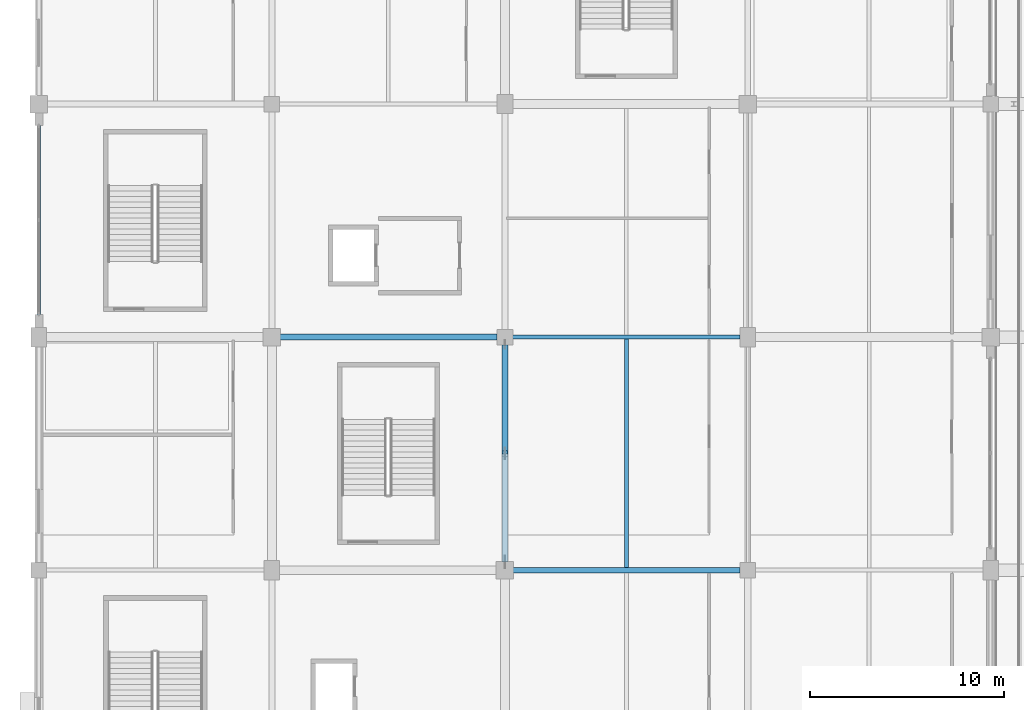
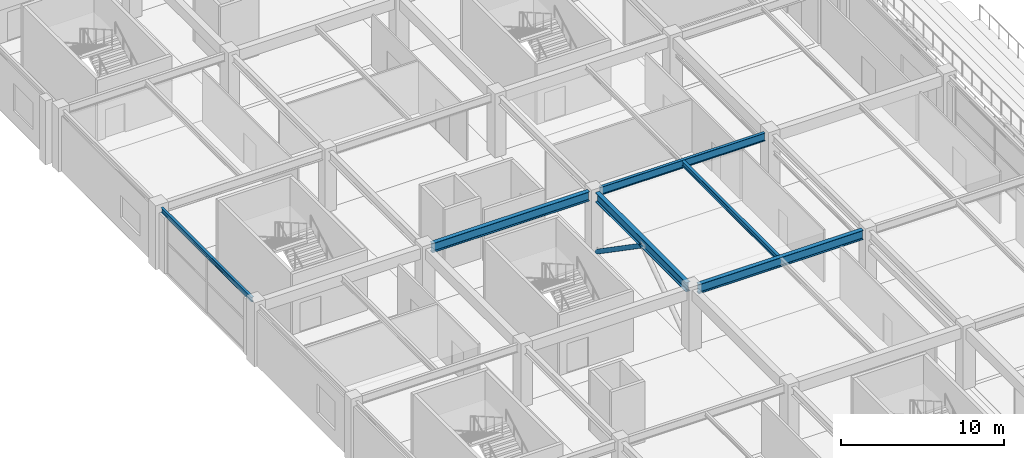
# One storey, part 22 of 134: 6 beams, 1 member.
"""IFC4 building model written with IfcOpenShell, lengths in metres."""

from ifc_helpers import new_model, si_unit, direction, frame, origin, origin_2d, place, context, subcontext, project, spatial, hollow_circle, i_section, extrude, material, material_profile, profile_set, type_object, element, save


model = new_model("IFC4")

# Units and contexts
model_context = context("Model", 3, precision=1e-05, world=origin(), true_north=direction((0.0, 1.0)))
body_context = subcontext(model_context, "Body", "Model", "MODEL_VIEW")
ifc_project = project(units=[si_unit("LENGTHUNIT", "METRE"), si_unit("AREAUNIT", "SQUARE_METRE"), si_unit("VOLUMEUNIT", "CUBIC_METRE"), si_unit("PLANEANGLEUNIT", "RADIAN"), si_unit("MASSUNIT", "GRAM", prefix="KILO")], contexts=[model_context])

# Site, building, storey
site_placement = place(None, origin())
site = spatial("IfcSite", under=ifc_project, at=site_placement, CompositionType="ELEMENT")
building_placement = place(site_placement, origin())
building = spatial("IfcBuilding", under=site, at=building_placement, Name="Kazenohara Klinker Stadium", CompositionType="ELEMENT")
storey_placement = place(building_placement, frame((0.0, 0.0, 5.39990234375)))
storey = spatial("IfcBuildingStorey", under=building, at=storey_placement, Name="L01", CompositionType="ELEMENT", Elevation=5.39990234375)

# Beams
ifc_material = material(Name="Steel S355", Category="steel")
ifc_material_profile_1 = material_profile(ifc_material, i_section(OverallWidth=0.199951171875, OverallDepth=0.39990234375, WebThickness=0.008056640625, FlangeThickness=0.012939453125, FilletRadius=0.012939453125, at=origin_2d()), Name="H-400x200x8x13")
ifc_profile_set_1 = profile_set([ifc_material_profile_1], Name="Steel S355")
beam_type_1 = type_object("IfcBeamType", Name="BM-JST03", PredefinedType="JOIST", material=ifc_profile_set_1)
beam_1_placement = place(storey_placement, frame((30.25, 96.14990234375, 4.35009765625), z_axis=(0.0, 1.0, 0.0), x_axis=(-1.0, 0.0, 0.0)))
element("IfcBeam", 1, at=beam_1_placement, inside=storey, type_object=beam_type_1, Name="Secondary floor joist SJ03 L01 3/J", PredefinedType="JOIST", context=body_context, shape_type="SweptSolid", body=[
    extrude(i_section(OverallWidth=0.199951171875, OverallDepth=0.39990234375, WebThickness=0.008056640625, FlangeThickness=0.012939453125, FilletRadius=0.012939453125, at=origin_2d()), origin(), (0.0, 0.0, 1.0), 11.75),
])
ifc_material_profile_2 = material_profile(ifc_material, i_section(OverallWidth=0.175048828125, OverallDepth=0.35009765625, WebThickness=0.007080078125, FlangeThickness=0.010986328125, FilletRadius=0.012939453125, at=origin_2d()), Name="H-350x175x7x11")
ifc_profile_set_2 = profile_set([ifc_material_profile_2], Name="Steel S355")
beam_type_2 = type_object("IfcBeamType", Name="BM-SPD02", PredefinedType="SPANDREL", material=ifc_profile_set_2)
beam_2_placement = place(storey_placement, frame((0.0, 108.419921875, 4.375), z_axis=(0.0, 1.0, 0.0), x_axis=(-1.0, 0.0, 0.0)))
element("IfcBeam", 2, at=beam_2_placement, inside=storey, type_object=beam_type_2, Name="Primary girder SP02 L01 1/K-L", PredefinedType="SPANDREL", context=body_context, shape_type="SweptSolid", body=[
    extrude(i_section(OverallWidth=0.175048828125, OverallDepth=0.35009765625, WebThickness=0.007080078125, FlangeThickness=0.010986328125, FilletRadius=0.012939453125, at=origin_2d()), origin(), (0.0, 0.0, 1.0), 11.16015625),
])
ifc_material_profile_3 = material_profile(ifc_material, i_section(OverallWidth=0.300048828125, OverallDepth=0.699951171875, WebThickness=0.012939453125, FlangeThickness=0.02392578125, FilletRadius=0.02197265625, at=origin_2d()), Name="H-700x300x13x24")
ifc_profile_set_3 = profile_set([ifc_material_profile_3], Name="Steel S355")
beam_type_3 = type_object("IfcBeamType", Name="BM-ST03", PredefinedType="BEAM", material=ifc_profile_set_3)
beam_3_placement = place(storey_placement, frame((12.419921875, 108.0, 4.2001953125), z_axis=(1.0, 0.0, 0.0), x_axis=(0.0, 1.0, 0.0)))
element("IfcBeam", 3, at=beam_3_placement, inside=storey, type_object=beam_type_3, Name="Primary girder SB03 L01 2-3/K", PredefinedType="BEAM", context=body_context, shape_type="SweptSolid", body=[
    extrude(i_section(OverallWidth=0.300048828125, OverallDepth=0.699951171875, WebThickness=0.012939453125, FlangeThickness=0.02392578125, FilletRadius=0.02197265625, at=origin_2d()), origin(), (0.0, 0.0, 1.0), 11.18017578125),
])
beam_4_placement = place(storey_placement, frame((24.419921875, 96.0, 4.2001953125), z_axis=(1.0, 0.0, 0.0), x_axis=(0.0, 1.0, 0.0)))
element("IfcBeam", 4, at=beam_4_placement, inside=storey, type_object=beam_type_3, Name="Primary girder SB03 L01 3-4/J", PredefinedType="BEAM", context=body_context, shape_type="SweptSolid", body=[
    extrude(i_section(OverallWidth=0.300048828125, OverallDepth=0.699951171875, WebThickness=0.012939453125, FlangeThickness=0.02392578125, FilletRadius=0.02197265625, at=origin_2d()), origin(), (0.0, 0.0, 1.0), 11.68017578125),
])
beam_5_placement = place(storey_placement, frame((24.0, 96.419921875, 4.2001953125), z_axis=(0.0, 1.0, 0.0), x_axis=(-1.0, 0.0, 0.0)))
element("IfcBeam", 5, at=beam_5_placement, inside=storey, type_object=beam_type_3, Name="Primary girder SB03 L01 3/J-K", PredefinedType="BEAM", context=body_context, shape_type="SweptSolid", body=[
    extrude(i_section(OverallWidth=0.300048828125, OverallDepth=0.699951171875, WebThickness=0.012939453125, FlangeThickness=0.02392578125, FilletRadius=0.02197265625, at=origin_2d()), origin(), (0.0, 0.0, 1.0), 11.18017578125),
])
ifc_material_profile_4 = material_profile(ifc_material, i_section(OverallWidth=0.199951171875, OverallDepth=0.60009765625, WebThickness=0.010986328125, FlangeThickness=0.01708984375, FilletRadius=0.012939453125, at=origin_2d()), Name="H-600x200x11x17")
ifc_profile_set_4 = profile_set([ifc_material_profile_4], Name="Steel S355")
beam_type_4 = type_object("IfcBeamType", Name="BM-ST04", PredefinedType="BEAM", material=ifc_profile_set_4)
beam_6_placement = place(storey_placement, frame((24.39990234375, 108.0, 4.25), z_axis=(1.0, 0.0, 0.0), x_axis=(0.0, 1.0, 0.0)))
element("IfcBeam", 6, at=beam_6_placement, inside=storey, type_object=beam_type_4, Name="Primary girder SB04 L01 3-4/K", PredefinedType="BEAM", context=body_context, shape_type="SweptSolid", body=[
    extrude(i_section(OverallWidth=0.199951171875, OverallDepth=0.60009765625, WebThickness=0.010986328125, FlangeThickness=0.01708984375, FilletRadius=0.012939453125, at=origin_2d()), origin(), (0.0, 0.0, 1.0), 11.7001953125),
])

# Member
ifc_material_profile_5 = material_profile(ifc_material, hollow_circle(Radius=0.1591796875, WallThickness=0.010009765625, at=origin_2d()), Name="CHS-318.5x10")
ifc_profile_set_5 = profile_set([ifc_material_profile_5], Name="Steel S355")
member_type = type_object("IfcMemberType", Name="MEM-BRC04", PredefinedType="BRACE", material=ifc_profile_set_5)
member_placement = place(storey_placement, frame((24.0, 107.6201171875, 0.050048828125), z_axis=(0.0, -0.823257804004, 0.567667674037), x_axis=(1.0, 0.0, 0.0)))
element("IfcMember", 7, at=member_placement, inside=storey, type_object=member_type, Name="Concentric brace BR04 L01 3/J B", PredefinedType="BRACE", context=body_context, shape_type="SweptSolid", body=[
    extrude(hollow_circle(Radius=0.1591796875, WallThickness=0.010009765625, at=origin_2d()), origin(), (0.0, 0.0, 1.0), 6.7294921875),
])

save(model, "model.ifc")
